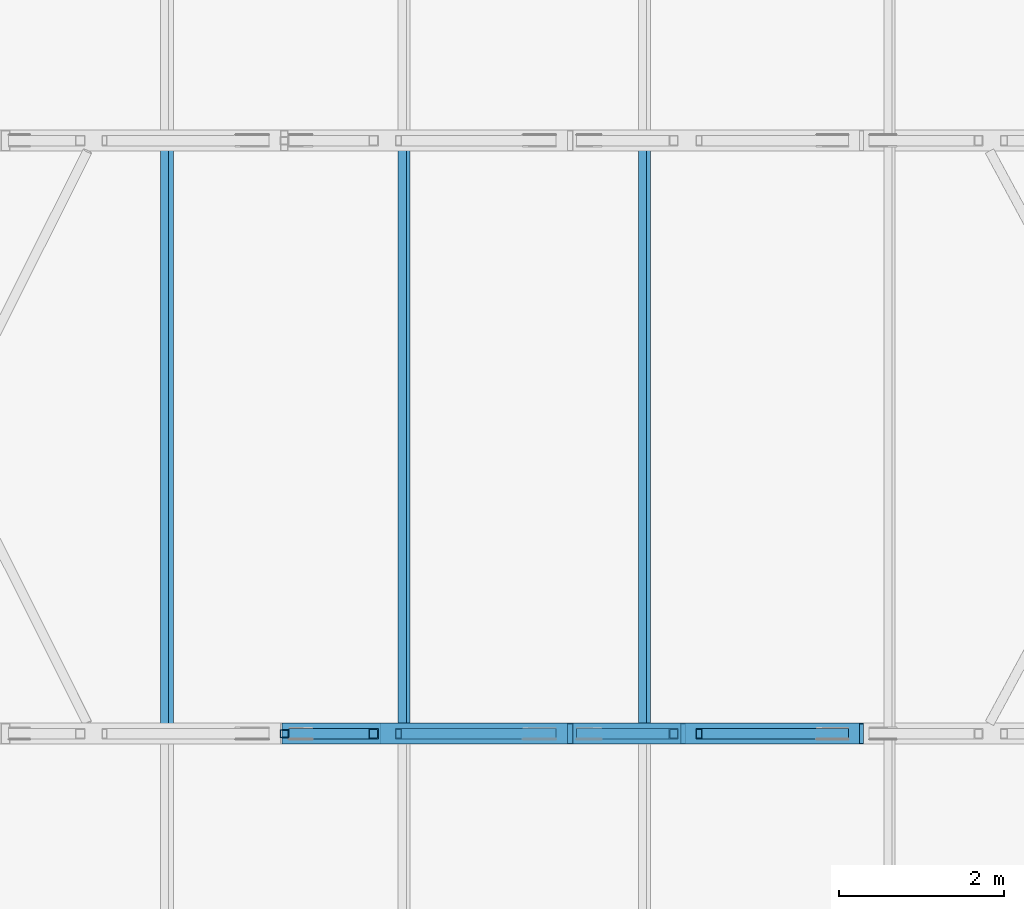
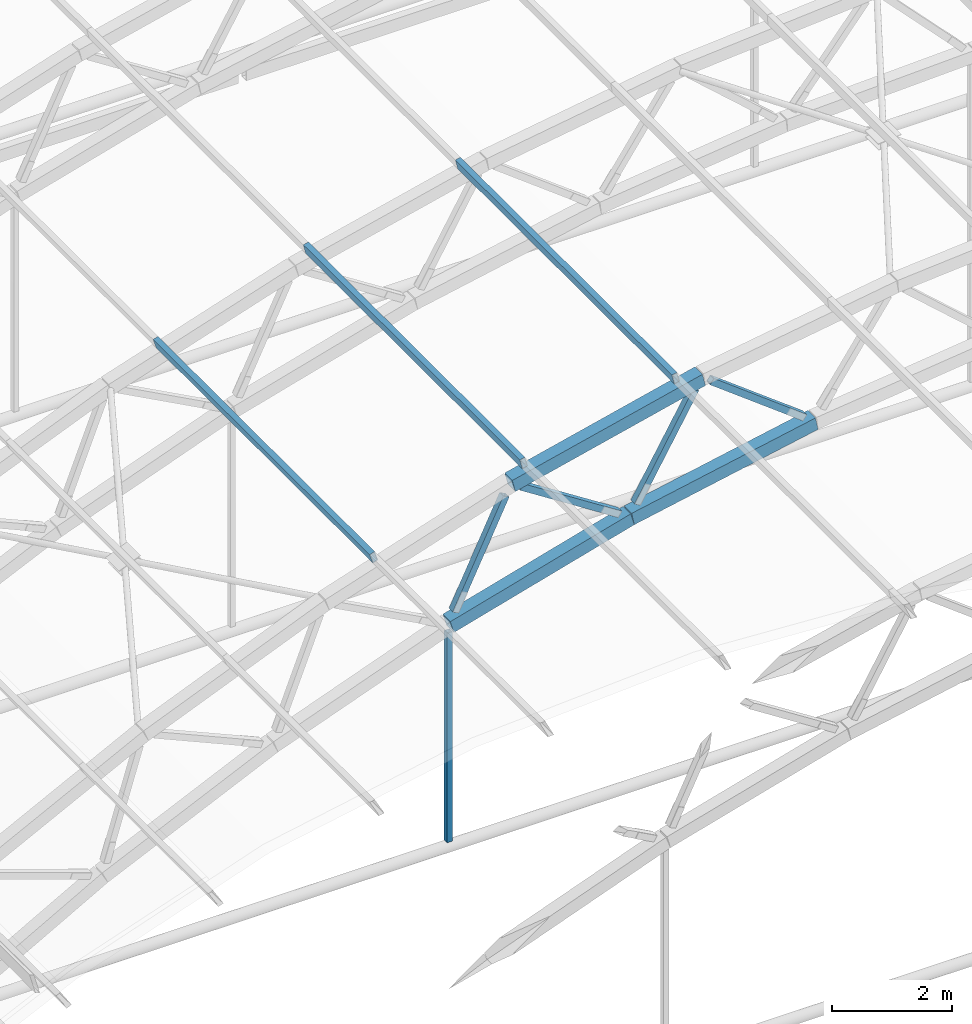
# One storey, part 41 of 127: 11 members.
"""IFC4 building model written with IfcOpenShell, lengths in metres."""

from ifc_helpers import new_model, si_unit, direction, frame, origin, origin_2d, place, context, subcontext, project, spatial, hollow_rectangle, extrude, material, material_profile, profile_set, type_object, element, save


model = new_model("IFC4")

# Units and contexts
model_context = context("Model", 3, precision=1e-05, world=origin(), true_north=direction((0.0, 1.0)))
body_context = subcontext(model_context, "Body", "Model", "MODEL_VIEW")
ifc_project = project(units=[si_unit("LENGTHUNIT", "METRE"), si_unit("AREAUNIT", "SQUARE_METRE"), si_unit("VOLUMEUNIT", "CUBIC_METRE"), si_unit("PLANEANGLEUNIT", "RADIAN"), si_unit("MASSUNIT", "GRAM", prefix="KILO")], contexts=[model_context])

# Site, building, storey
site_placement = place(None, origin())
site = spatial("IfcSite", under=ifc_project, at=site_placement, CompositionType="ELEMENT")
building_placement = place(site_placement, origin())
building = spatial("IfcBuilding", under=site, at=building_placement, Name="Verrick Yard Athletic Hall", CompositionType="ELEMENT")
storey_placement = place(building_placement, frame((0.0, 0.0, 14.0)))
storey = spatial("IfcBuildingStorey", under=building, at=storey_placement, Name="L03", CompositionType="ELEMENT", Elevation=14.0)

# Members
ifc_material = material(Name="Structural steel HSS Class C 350W (CSA G40.20/G40.21)", Category="steel")
ifc_material_profile_1 = material_profile(ifc_material, hollow_rectangle(XDim=0.25390625, YDim=0.25390625, WallThickness=0.009521484375, at=origin_2d()), Name="HSS254x254x9.5")
ifc_profile_set_1 = profile_set([ifc_material_profile_1], Name="Structural steel HSS Class C 350W (CSA G40.20/G40.21)")
member_type_1 = type_object("IfcMemberType", Name="HB bottom chord HSS254x254x9.5", PredefinedType="CHORD", material=ifc_profile_set_1)
for number, where, z_axis, x_axis, name in (
    (1, (131.412353515625, 86.39990234375, 4.514404296875), (0.962572378456, 0.0, 0.271024752066), (0.0, 1.0, 0.0), "Truss TA3 bottom chord 4"),
    (2, (134.883544921875, 86.39990234375, 5.4912109375), (0.980846119722, 0.0, 0.194784212465), (0.0, 1.0, 0.0), "Truss TA3 bottom chord 5"),
):
    element("IfcMember", number, at=place(storey_placement, frame(where, z_axis=z_axis, x_axis=x_axis)), inside=storey, type_object=member_type_1, Name=name, PredefinedType="CHORD", context=body_context, shape_type="SweptSolid", body=[
        extrude(hollow_rectangle(XDim=0.25390625, YDim=0.25390625, WallThickness=0.009521484375, at=origin_2d()), origin(), (0.0, 0.0, 1.0), 3.595947265625),
    ])
ifc_material_profile_2 = material_profile(ifc_material, hollow_rectangle(XDim=0.1015625, YDim=0.203125, WallThickness=0.009521484375, at=origin_2d()), Name="HSS203x102x9.5")
ifc_profile_set_2 = profile_set([ifc_material_profile_2], Name="Structural steel HSS Class C 350W (CSA G40.20/G40.21)")
member_type_2 = type_object("IfcMemberType", Name="HB purlin HSS203x102x9.5", PredefinedType="PURLIN", material=ifc_profile_set_2)
for number, where, z_axis, x_axis, name in (
    (3, (129.98095703125, 86.39990234375, 6.3544921875), (0.0, 1.0, 0.0), (-0.951213620533, 0.0, -0.308533058379), "HB-PU-A-3-4"),
    (4, (132.858642578125, 86.39990234375, 7.260009765625), (0.0, 1.0, 0.0), (-0.972458956474, 0.0, -0.23307418985), "HB-PU-A-3-5"),
    (5, (135.776123046875, 86.39990234375, 7.959228515625), (0.0, 1.0, 0.0), (-0.972458956474, 0.0, -0.23307418985), "HB-PU-A-3-6"),
):
    element("IfcMember", number, at=place(storey_placement, frame(where, z_axis=z_axis, x_axis=x_axis)), inside=storey, type_object=member_type_2, Name=name, PredefinedType="PURLIN", context=body_context, shape_type="SweptSolid", body=[
        extrude(hollow_rectangle(XDim=0.1015625, YDim=0.203125, WallThickness=0.009521484375, at=origin_2d()), origin(), (0.0, 0.0, 1.0), 7.2001953125),
    ])
ifc_material_profile_3 = material_profile(ifc_material, hollow_rectangle(XDim=0.25390625, YDim=0.25390625, WallThickness=0.009521484375, at=origin_2d()), Name="HSS254x254x9.5")
ifc_profile_set_3 = profile_set([ifc_material_profile_3], Name="Structural steel HSS Class C 350W (CSA G40.20/G40.21)")
member_type_3 = type_object("IfcMemberType", Name="HB top chord HSS254x254x9.5", PredefinedType="CHORD", material=ifc_profile_set_3)
member_1_placement = place(storey_placement, frame((132.59619140625, 86.39990234375, 6.9619140625), z_axis=(0.972457525524, 0.0, 0.233080160141), x_axis=(0.0, 1.0, 0.0)))
element("IfcMember", 6, at=member_1_placement, inside=storey, type_object=member_type_3, Name="Truss TA3 top chord 5", PredefinedType="CHORD", context=body_context, shape_type="SweptSolid", body=[
    extrude(hollow_rectangle(XDim=0.25390625, YDim=0.25390625, WallThickness=0.009521484375, at=origin_2d()), origin(), (0.0, 0.0, 1.0), 3.7529296875),
])
ifc_material_profile_4 = material_profile(ifc_material, hollow_rectangle(XDim=0.1015625, YDim=0.1015625, WallThickness=0.00634765625, at=origin_2d()), Name="HSS102x102x6.4")
ifc_profile_set_4 = profile_set([ifc_material_profile_4], Name="Structural steel HSS Class C 350W (CSA G40.20/G40.21)")
member_type_4 = type_object("IfcMemberType", Name="HB truss hanger HSS102x102x6.4", PredefinedType="MEMBER", material=ifc_profile_set_4)
member_2_placement = place(storey_placement, frame((131.407470703125, 86.39990234375, 4.35888671875), z_axis=(0.0, 0.0, -1.0), x_axis=(0.0, -1.0, 0.0)))
element("IfcMember", 7, at=member_2_placement, inside=storey, type_object=member_type_4, Name="Truss TA3 hanger 1", PredefinedType="MEMBER", context=body_context, shape_type="SweptSolid", body=[
    extrude(hollow_rectangle(XDim=0.1015625, YDim=0.1015625, WallThickness=0.00634765625, at=origin_2d()), origin(), (0.0, 0.0, 1.0), 4.249267578125),
])
ifc_material_profile_5 = material_profile(ifc_material, hollow_rectangle(XDim=0.126953125, YDim=0.126953125, WallThickness=0.009521484375, at=origin_2d()), Name="HSS127x127x9.5")
ifc_profile_set_5 = profile_set([ifc_material_profile_5], Name="Structural steel HSS Class C 350W (CSA G40.20/G40.21)")
member_type_5 = type_object("IfcMemberType", Name="HB truss web HSS127x127x9.5", PredefinedType="BRACE", material=ifc_profile_set_5)
for number, where, z_axis, x_axis, name in (
    (8, (131.515869140625, 86.39990234375, 4.73681640625), (0.435369492886, 0.0, 0.900251856241), (0.0, 1.0, 0.0), "Truss TA3 web 7"),
    (9, (132.79052734375, 86.39990234375, 6.832763671875), (0.841150064875, 0.0, -0.540801782875), (0.0, 1.0, 0.0), "Truss TA3 web 8"),
    (10, (135.004150390625, 86.39990234375, 5.705078125), (0.504543682156, 0.0, 0.86338616667), (0.0, 1.0, 0.0), "Truss TA3 web 9"),
):
    element("IfcMember", number, at=place(storey_placement, frame(where, z_axis=z_axis, x_axis=x_axis)), inside=storey, type_object=member_type_5, Name=name, PredefinedType="BRACE", context=body_context, shape_type="SweptSolid", body=[
        extrude(hollow_rectangle(XDim=0.126953125, YDim=0.126953125, WallThickness=0.009521484375, at=origin_2d()), origin(), (0.0, 0.0, 1.0), 2.233642578125),
    ])
member_3_placement = place(storey_placement, frame((136.439208984375, 86.39990234375, 7.694580078125), z_axis=(0.796206425538, 0.0, -0.605025063887), x_axis=(0.0, 1.0, 0.0)))
element("IfcMember", 11, at=member_3_placement, inside=storey, type_object=member_type_5, Name="Truss TA3 web 10", PredefinedType="BRACE", context=body_context, shape_type="SweptSolid", body=[
    extrude(hollow_rectangle(XDim=0.126953125, YDim=0.126953125, WallThickness=0.009521484375, at=origin_2d()), origin(), (0.0, 0.0, 1.0), 2.2333984375),
])

save(model, "model.ifc")
